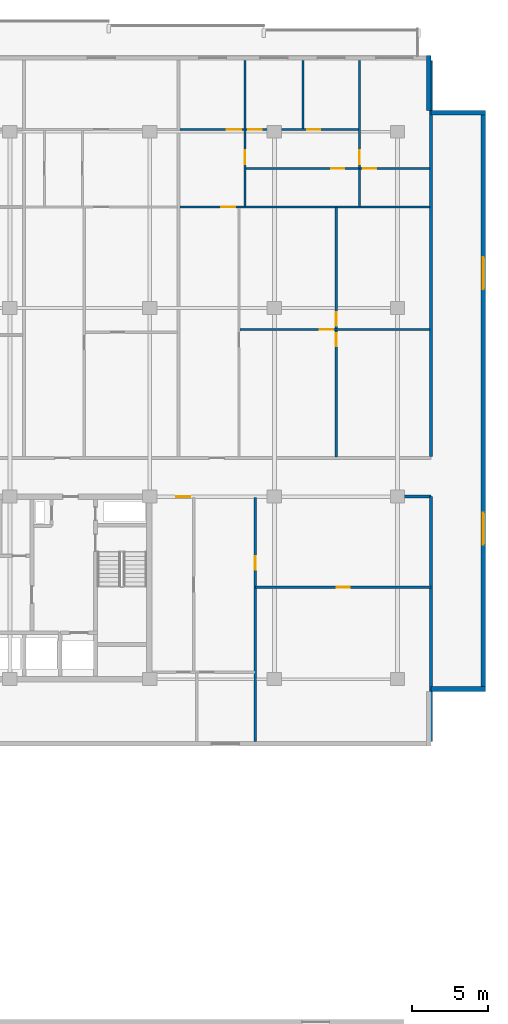
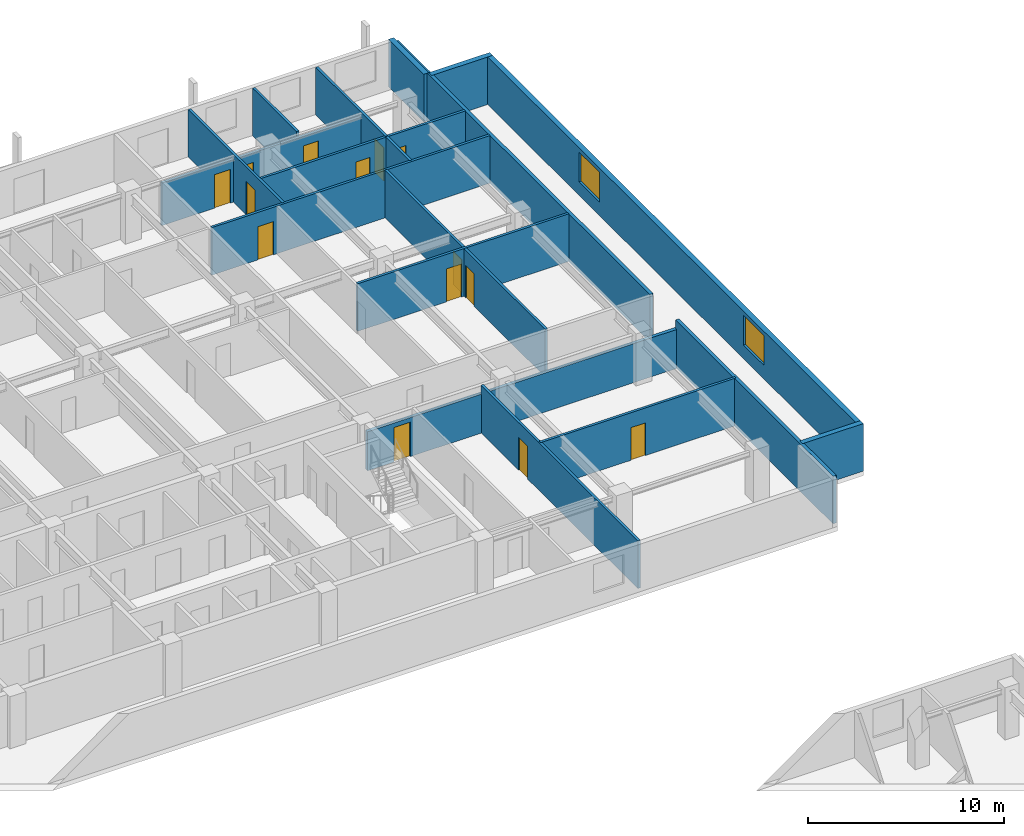
# One storey, part 15 of 21: 18 walls, 14 doors, 2 windows, 16 openings.
"""IFC4 building model written with IfcOpenShell, lengths in metres."""

from ifc_helpers import new_model, si_unit, direction, frame, frame_2d, origin, place, context, subcontext, project, spatial, rectangle, extrude, material, layer, layer_set, type_object, element, fill, save


model = new_model("IFC4")

# Units and contexts
model_context = context("Model", 3, precision=1e-05, world=origin(), true_north=direction((0.0, 1.0)))
body_context = subcontext(model_context, "Body", "Model", "MODEL_VIEW")
ifc_project = project(units=[si_unit("LENGTHUNIT", "METRE"), si_unit("AREAUNIT", "SQUARE_METRE"), si_unit("VOLUMEUNIT", "CUBIC_METRE"), si_unit("PLANEANGLEUNIT", "RADIAN"), si_unit("MASSUNIT", "GRAM", prefix="KILO")], contexts=[model_context])

# Site, building, storey
site_placement = place(None, origin())
site = spatial("IfcSite", under=ifc_project, at=site_placement, CompositionType="ELEMENT")
building_placement = place(site_placement, origin())
building = spatial("IfcBuilding", under=site, at=building_placement, Name="Korimba Cascade Residences", CompositionType="ELEMENT")
storey_placement = place(building_placement, frame((0.0, 0.0, 100.300048828125)))
storey = spatial("IfcBuildingStorey", under=building, at=storey_placement, Name="L28", CompositionType="ELEMENT", Elevation=100.300048828125)

# Wall
ifc_material_1 = material(Name="Precast concrete C40/50", Category="concrete")
ifc_layer_1 = layer(ifc_material_1, 0.300048828125)
ifc_layer_set_1 = layer_set([ifc_layer_1], Name="Precast concrete C40/50")
wall_type_1 = type_object("IfcWallType", Name="EW-STONE-300", PredefinedType="STANDARD", material=ifc_layer_set_1)
wall_1_placement = place(storey_placement, frame((130.60009765625, 54.550048828125, 0.0), z_axis=(0.0, 0.0, 1.0), x_axis=(1.0, 0.0, 0.0)))
element("IfcWall", 1, at=wall_1_placement, inside=storey, type_object=wall_type_1, Name="L28 T1 Perimeter Stone Wall E02", PredefinedType="STANDARD", context=body_context, shape_type="SweptSolid", body=[
    extrude(rectangle(XDim=3.599853515625, YDim=0.300048828125, at=frame_2d((1.7998046875, 0.0))), origin(), (0.0, 0.0, 1.0), 2.969970703125),
])

# Wall, openings, windows
wall_2_placement = place(storey_placement, frame((134.050048828125, 54.39990234375, 0.0), z_axis=(0.0, 0.0, 1.0), x_axis=(0.0, 1.0, 0.0)))
wall_2 = element("IfcWall", 2, at=wall_2_placement, inside=storey, type_object=wall_type_1, Name="L28 T1 Perimeter Stone Wall E03", PredefinedType="STANDARD", context=body_context, shape_type="SweptSolid", body=[
    extrude(rectangle(XDim=38.2001953125, YDim=0.300048828125, at=frame_2d((19.10009765625, 0.0))), origin(), (0.0, 0.0, 1.0), 2.969970703125),
])
opening_1_placement = place(wall_2_placement, frame((9.64599609375, 0.0, 0.85009765625)))
opening_1 = element("IfcOpeningElement", 3, at=opening_1_placement, cuts=wall_2, Name="Opening W-03", PredefinedType="OPENING", context=body_context, shape_type="SweptSolid", body=[
    extrude(rectangle(XDim=2.10009765625, YDim=1.85009765625, at=frame_2d((1.050048828125, 0.925048828125))), frame((0.0, 0.16015625, 0.0), z_axis=(0.0, -1.0, 0.0), x_axis=(1.0, 0.0, 0.0)), (0.0, 0.0, 1.0), 0.320068359375),
])
opening_2_placement = place(wall_2_placement, frame((26.4541015625, 0.0, 0.85009765625)))
opening_2 = element("IfcOpeningElement", 4, at=opening_2_placement, cuts=wall_2, Name="Opening W-03", PredefinedType="OPENING", context=body_context, shape_type="SweptSolid", body=[
    extrude(rectangle(XDim=2.10009765625, YDim=1.85009765625, at=frame_2d((1.050048828125, 0.925048828125))), frame((0.0, 0.16015625, 0.0), z_axis=(0.0, -1.0, 0.0), x_axis=(1.0, 0.0, 0.0)), (0.0, 0.0, 1.0), 0.320068359375),
])
ifc_material_2 = material(Name="Double-Glazed Aluminium Window", Category="aluminium")
window_type = type_object("IfcWindowType", Name="WIN-CRN-2100", PartitioningType="DOUBLE_PANEL_HORIZONTAL", PredefinedType="WINDOW", material=ifc_material_2)
window_1_placement = place(opening_1_placement, origin())
window_1 = element("IfcWindow", 5, at=window_1_placement, inside=storey, type_object=window_type, Name="L28 T1 End View Window 3.1", OverallHeight=1.85009765625, OverallWidth=2.10009765625, PartitioningType="DOUBLE_PANEL_HORIZONTAL", PredefinedType="WINDOW", context=body_context, shape_type="SweptSolid", body=[
    extrude(rectangle(XDim=2.10009765625, YDim=1.85009765625, at=frame_2d((1.050048828125, 0.925048828125))), frame((0.0, 0.030029296875, 0.0), z_axis=(0.0, -1.0, 0.0), x_axis=(1.0, 0.0, 0.0)), (0.0, 0.0, 1.0), 0.06005859375),
])
fill(opening_1, window_1)
window_2_placement = place(opening_2_placement, origin())
window_2 = element("IfcWindow", 6, at=window_2_placement, inside=storey, type_object=window_type, Name="L28 T1 End View Window 3.2", OverallHeight=1.85009765625, OverallWidth=2.10009765625, PartitioningType="DOUBLE_PANEL_HORIZONTAL", PredefinedType="WINDOW", context=body_context, shape_type="SweptSolid", body=[
    extrude(rectangle(XDim=2.10009765625, YDim=1.85009765625, at=frame_2d((1.050048828125, 0.925048828125))), frame((0.0, 0.030029296875, 0.0), z_axis=(0.0, -1.0, 0.0), x_axis=(1.0, 0.0, 0.0)), (0.0, 0.0, 1.0), 0.06005859375),
])
fill(opening_2, window_2)

# Walls
for number, where, z_axis, x_axis, name in (
    (7, (134.199951171875, 92.449951171875, 0.0), (0.0, 0.0, 1.0), (-1.0, 0.0, 0.0), "L28 T1 Perimeter Stone Wall E04"),
    (8, (130.449951171875, 92.60009765625, 0.0), (0.0, 0.0, 1.0), (0.0, 1.0, 0.0), "L28 T1 Perimeter Stone Wall E05"),
):
    element("IfcWall", number, at=place(storey_placement, frame(where, z_axis=z_axis, x_axis=x_axis)), inside=storey, type_object=wall_type_1, Name=name, PredefinedType="STANDARD", context=body_context, shape_type="SweptSolid", body=[
        extrude(rectangle(XDim=3.599853515625, YDim=0.300048828125, at=frame_2d((1.7998046875, 0.0))), origin(), (0.0, 0.0, 1.0), 2.969970703125),
    ])
ifc_layer_2 = layer(ifc_material_1, 0.199951171875)
ifc_layer_set_2 = layer_set([ifc_layer_2], Name="Precast concrete C40/50")
wall_type_2 = type_object("IfcWallType", Name="WAL-IT-200", PredefinedType="PARTITIONING", material=ifc_layer_set_2)
wall_3_placement = place(storey_placement, frame((130.60009765625, 51.10009765625, 0.0), z_axis=(0.0, 0.0, 1.0), x_axis=(0.0, 1.0, 0.0)))
element("IfcWall", 9, at=wall_3_placement, inside=storey, type_object=wall_type_2, Name="L28 Partition Wall WAL-L28-T1-FE-WR", PredefinedType="PARTITIONING", context=body_context, shape_type="SweptSolid", body=[
    extrude(rectangle(XDim=16.099853515625, YDim=0.199951171875, at=frame_2d((8.0498046875, 0.0))), origin(), (0.0, 0.0, 1.0), 2.969970703125),
])

# Wall, opening, door
wall_4_placement = place(storey_placement, frame((112.25, 67.199951171875, 0.0), z_axis=(0.0, 0.0, 1.0), x_axis=(1.0, 0.0, 0.0)))
wall_4 = element("IfcWall", 10, at=wall_4_placement, inside=storey, type_object=wall_type_2, Name="L28 Partition Wall WAL-L28-T1-FE-N", PredefinedType="PARTITIONING", context=body_context, shape_type="SweptSolid", body=[
    extrude(rectangle(XDim=18.35009765625, YDim=0.199951171875, at=frame_2d((9.175048828125, 0.0))), origin(), (0.0, 0.0, 1.0), 2.433349609375),
])
opening_3_placement = place(wall_4_placement, frame((1.580078125, 0.0, 0.0)))
opening_3 = element("IfcOpeningElement", 11, at=opening_3_placement, cuts=wall_4, Name="Opening D-UN1", PredefinedType="OPENING", context=body_context, shape_type="SweptSolid", body=[
    extrude(rectangle(XDim=0.949951171875, YDim=2.14990234375, at=frame_2d((0.47509765625, 1.074951171875))), frame((0.0, 0.10986328125, 0.0), z_axis=(0.0, -1.0, 0.0), x_axis=(1.0, 0.0, 0.0)), (0.0, 0.0, 1.0), 0.219970703125),
])
ifc_material_3 = material(Name="Fire-Rated Hardwood Apartment Entrance Door", Category="wood")
door_type_1 = type_object("IfcDoorType", Name="DR-FD60-950", OperationType="NOTDEFINED", PredefinedType="DOOR", material=ifc_material_3)
door_1_placement = place(opening_3_placement, origin())
door_1 = element("IfcDoor", 12, at=door_1_placement, inside=storey, type_object=door_type_1, Name="L28-T1-FE Entrance Door", OperationType="SINGLE_SWING_LEFT", OverallHeight=2.14990234375, OverallWidth=0.949951171875, PredefinedType="DOOR", context=body_context, shape_type="SweptSolid", body=[
    extrude(rectangle(XDim=0.949951171875, YDim=2.14990234375, at=frame_2d((0.47509765625, 1.074951171875))), frame((0.0, 0.02490234375, 0.0), z_axis=(0.0, -1.0, 0.0), x_axis=(1.0, 0.0, 0.0)), (0.0, 0.0, 1.0), 0.050048828125),
])
fill(opening_3, door_1)

# Wall
wall_5_placement = place(storey_placement, frame((130.60009765625, 69.830078125, 0.0), z_axis=(0.0, 0.0, 1.0), x_axis=(0.0, 1.0, 0.0)))
element("IfcWall", 13, at=wall_5_placement, inside=storey, type_object=wall_type_2, Name="L28 Partition Wall WAL-L28-T1-BNDWR", PredefinedType="PARTITIONING", context=body_context, shape_type="SweptSolid", body=[
    extrude(rectangle(XDim=26.06982421875, YDim=0.199951171875, at=frame_2d((13.034912109375, 0.0))), origin(), (0.0, 0.0, 1.0), 2.969970703125),
])

# Wall, opening, door
ifc_material_4 = material(Name="Insulated Acoustic Stud Partition", Category="gypsum")
ifc_layer_3 = layer(ifc_material_4, 0.14990234375)
ifc_layer_set_3 = layer_set([ifc_layer_3], Name="Insulated Acoustic Stud Partition")
wall_type_3 = type_object("IfcWallType", Name="WAL-PART-150", PredefinedType="PARTITIONING", material=ifc_layer_set_3)
wall_6_placement = place(storey_placement, frame((119.050048828125, 61.25, 0.0), z_axis=(0.0, 0.0, 1.0), x_axis=(1.0, 0.0, 0.0)))
wall_6 = element("IfcWall", 14, at=wall_6_placement, inside=storey, type_object=wall_type_3, Name="L28 Partition Wall WAL-L28-T1-FE-STH", PredefinedType="PARTITIONING", context=body_context, shape_type="SweptSolid", body=[
    extrude(rectangle(XDim=11.550048828125, YDim=0.14990234375, at=frame_2d((5.77490234375, 0.0))), origin(), (0.0, 0.0, 1.0), 2.969970703125),
])
opening_4_placement = place(wall_6_placement, frame((5.35498046875, 0.0, 0.0)))
opening_4 = element("IfcOpeningElement", 15, at=opening_4_placement, cuts=wall_6, Name="Opening D-BT1", PredefinedType="OPENING", context=body_context, shape_type="SweptSolid", body=[
    extrude(rectangle(XDim=0.840087890625, YDim=2.0400390625, at=frame_2d((0.419921875, 1.02001953125))), frame((0.0, 0.0849609375, 0.0), z_axis=(0.0, -1.0, 0.0), x_axis=(1.0, 0.0, 0.0)), (0.0, 0.0, 1.0), 0.169921875),
])
ifc_material_5 = material(Name="Moisture-Resistant Bathroom Timber Door", Category="wood")
door_type_2 = type_object("IfcDoorType", Name="DR-INT-850", OperationType="NOTDEFINED", PredefinedType="DOOR", material=ifc_material_5)
door_2_placement = place(opening_4_placement, origin())
door_2 = element("IfcDoor", 16, at=door_2_placement, inside=storey, type_object=door_type_2, Name="L28-T1-FE Dressing Store Door", OperationType="SINGLE_SWING_RIGHT", OverallHeight=2.0400390625, OverallWidth=0.840087890625, PredefinedType="DOOR", context=body_context, shape_type="SweptSolid", body=[
    extrude(rectangle(XDim=0.840087890625, YDim=2.0400390625, at=frame_2d((0.419921875, 1.02001953125))), frame((0.0, 0.02490234375, 0.0), z_axis=(0.0, -1.0, 0.0), x_axis=(1.0, 0.0, 0.0)), (0.0, 0.0, 1.0), 0.050048828125),
])
fill(opening_4, door_2)

wall_7_placement = place(storey_placement, frame((119.050048828125, 51.10009765625, 0.0), z_axis=(0.0, 0.0, 1.0), x_axis=(0.0, 1.0, 0.0)))
wall_7 = element("IfcWall", 17, at=wall_7_placement, inside=storey, type_object=wall_type_3, Name="L28 Partition Wall WAL-L28-T1-FE-STV", PredefinedType="PARTITIONING", context=body_context, shape_type="SweptSolid", body=[
    extrude(rectangle(XDim=16.0498046875, YDim=0.14990234375, at=frame_2d((8.02490234375, 0.0))), origin(), (0.0, 0.0, 1.0), 2.969970703125),
])
opening_5_placement = place(wall_7_placement, frame((11.300048828125, 0.0, 0.0)))
opening_5 = element("IfcOpeningElement", 18, at=opening_5_placement, cuts=wall_7, Name="Opening D-IN2", PredefinedType="OPENING", context=body_context, shape_type="SweptSolid", body=[
    extrude(rectangle(XDim=0.8798828125, YDim=2.06005859375, at=frame_2d((0.43994140625, 1.030029296875))), frame((0.0, 0.0849609375, 0.0), z_axis=(0.0, -1.0, 0.0), x_axis=(1.0, 0.0, 0.0)), (0.0, 0.0, 1.0), 0.169921875),
])
ifc_material_6 = material(Name="Acoustic Timber Bedroom Door", Category="wood")
door_type_3 = type_object("IfcDoorType", Name="DR-INT-880", OperationType="NOTDEFINED", PredefinedType="DOOR", material=ifc_material_6)
door_3_placement = place(opening_5_placement, origin())
door_3 = element("IfcDoor", 19, at=door_3_placement, inside=storey, type_object=door_type_3, Name="L28-T1-FE Study Door", OperationType="SINGLE_SWING_LEFT", OverallHeight=2.06005859375, OverallWidth=0.8798828125, PredefinedType="DOOR", context=body_context, shape_type="SweptSolid", body=[
    extrude(rectangle(XDim=0.8798828125, YDim=2.06005859375, at=frame_2d((0.43994140625, 1.030029296875))), frame((0.0, 0.02490234375, 0.0), z_axis=(0.0, -1.0, 0.0), x_axis=(1.0, 0.0, 0.0)), (0.0, 0.0, 1.0), 0.050048828125),
])
fill(opening_5, door_3)

# Wall, openings, doors
wall_8_placement = place(storey_placement, frame((124.376953125, 69.81005859375, 0.0), z_axis=(0.0, 0.0, 1.0), x_axis=(0.0, 1.0, 0.0)))
wall_8 = element("IfcWall", 20, at=wall_8_placement, inside=storey, type_object=wall_type_3, Name="L28 Partition Wall WAL-L28-T1-U05-FMV", PredefinedType="PARTITIONING", context=body_context, shape_type="SweptSolid", body=[
    extrude(rectangle(XDim=16.39990234375, YDim=0.14990234375, at=frame_2d((8.199951171875, 0.0))), origin(), (0.0, 0.0, 1.0), 2.969970703125),
])
opening_6_placement = place(wall_8_placement, frame((7.2900390625, 0.0, 0.0)))
opening_6 = element("IfcOpeningElement", 21, at=opening_6_placement, cuts=wall_8, Name="Opening D-BT1", PredefinedType="OPENING", context=body_context, shape_type="SweptSolid", body=[
    extrude(rectangle(XDim=0.840087890625, YDim=2.0400390625, at=frame_2d((0.419921875, 1.02001953125))), frame((0.0, 0.0849609375, 0.0), z_axis=(0.0, -1.0, 0.0), x_axis=(1.0, 0.0, 0.0)), (0.0, 0.0, 1.0), 0.169921875),
])
opening_7_placement = place(wall_8_placement, frame((8.6298828125, 0.0, 0.0)))
opening_7 = element("IfcOpeningElement", 22, at=opening_7_placement, cuts=wall_8, Name="Opening D-IN2", PredefinedType="OPENING", context=body_context, shape_type="SweptSolid", body=[
    extrude(rectangle(XDim=0.8798828125, YDim=2.06005859375, at=frame_2d((0.43994140625, 1.030029296875))), frame((0.0, 0.0849609375, 0.0), z_axis=(0.0, -1.0, 0.0), x_axis=(1.0, 0.0, 0.0)), (0.0, 0.0, 1.0), 0.169921875),
])
door_4_placement = place(opening_6_placement, origin())
door_4 = element("IfcDoor", 23, at=door_4_placement, inside=storey, type_object=door_type_2, Name="L28-T1-U05 Wardrobe Door", OperationType="SINGLE_SWING_LEFT", OverallHeight=2.0400390625, OverallWidth=0.840087890625, PredefinedType="DOOR", context=body_context, shape_type="SweptSolid", body=[
    extrude(rectangle(XDim=0.840087890625, YDim=2.0400390625, at=frame_2d((0.419921875, 1.02001953125))), frame((0.0, 0.02490234375, 0.0), z_axis=(0.0, -1.0, 0.0), x_axis=(1.0, 0.0, 0.0)), (0.0, 0.0, 1.0), 0.050048828125),
])
fill(opening_6, door_4)
door_5_placement = place(opening_7_placement, origin())
door_5 = element("IfcDoor", 24, at=door_5_placement, inside=storey, type_object=door_type_3, Name="L28-T1-U05 Music Lounge Door", OperationType="SINGLE_SWING_RIGHT", OverallHeight=2.06005859375, OverallWidth=0.8798828125, PredefinedType="DOOR", context=body_context, shape_type="SweptSolid", body=[
    extrude(rectangle(XDim=0.8798828125, YDim=2.06005859375, at=frame_2d((0.43994140625, 1.030029296875))), frame((0.0, 0.02490234375, 0.0), z_axis=(0.0, -1.0, 0.0), x_axis=(1.0, 0.0, 0.0)), (0.0, 0.0, 1.0), 0.050048828125),
])
fill(opening_7, door_5)

# Wall, opening, door
wall_9_placement = place(storey_placement, frame((118.033935546875, 78.18994140625, 0.0), z_axis=(0.0, 0.0, 1.0), x_axis=(1.0, 0.0, 0.0)))
wall_9 = element("IfcWall", 25, at=wall_9_placement, inside=storey, type_object=wall_type_3, Name="L28 Partition Wall WAL-L28-T1-U05-FMH", PredefinedType="PARTITIONING", context=body_context, shape_type="SweptSolid", body=[
    extrude(rectangle(XDim=12.486083984375, YDim=0.14990234375, at=frame_2d((6.2431640625, 0.0))), origin(), (0.0, 0.0, 1.0), 2.969970703125),
])
opening_8_placement = place(wall_9_placement, frame((5.242919921875, 0.0, 0.0)))
opening_8 = element("IfcOpeningElement", 26, at=opening_8_placement, cuts=wall_9, Name="Opening D-IN2", PredefinedType="OPENING", context=body_context, shape_type="SweptSolid", body=[
    extrude(rectangle(XDim=0.8798828125, YDim=2.06005859375, at=frame_2d((0.43994140625, 1.030029296875))), frame((0.0, 0.0849609375, 0.0), z_axis=(0.0, -1.0, 0.0), x_axis=(1.0, 0.0, 0.0)), (0.0, 0.0, 1.0), 0.169921875),
])
door_6_placement = place(opening_8_placement, origin())
door_6 = element("IfcDoor", 27, at=door_6_placement, inside=storey, type_object=door_type_3, Name="L28-T1-U05 Library Salon Door", OperationType="SINGLE_SWING_LEFT", OverallHeight=2.06005859375, OverallWidth=0.8798828125, PredefinedType="DOOR", context=body_context, shape_type="SweptSolid", body=[
    extrude(rectangle(XDim=0.8798828125, YDim=2.06005859375, at=frame_2d((0.43994140625, 1.030029296875))), frame((0.0, 0.02490234375, 0.0), z_axis=(0.0, -1.0, 0.0), x_axis=(1.0, 0.0, 0.0)), (0.0, 0.0, 1.0), 0.050048828125),
])
fill(opening_8, door_6)

# Wall
wall_10_placement = place(storey_placement, frame((122.179931640625, 91.429931640625, 0.0), z_axis=(0.0, 0.0, 1.0), x_axis=(0.0, 1.0, 0.0)))
element("IfcWall", 28, at=wall_10_placement, inside=storey, type_object=wall_type_3, Name="L28 Partition Wall WAL-L28-T1-U05-VSTD", PredefinedType="PARTITIONING", context=body_context, shape_type="SweptSolid", body=[
    extrude(rectangle(XDim=4.469970703125, YDim=0.14990234375, at=frame_2d((2.23486328125, 0.0))), origin(), (0.0, 0.0, 1.0), 2.969970703125),
])

# Wall, opening, door
wall_11_placement = place(storey_placement, frame((118.373779296875, 86.2900390625, 0.0), z_axis=(0.0, 0.0, 1.0), x_axis=(0.0, 1.0, 0.0)))
wall_11 = element("IfcWall", 29, at=wall_11_placement, inside=storey, type_object=wall_type_3, Name="L28 Partition Wall WAL-L28-T1-U05-V1", PredefinedType="PARTITIONING", context=body_context, shape_type="SweptSolid", body=[
    extrude(rectangle(XDim=9.60986328125, YDim=0.14990234375, at=frame_2d((4.804931640625, 0.0))), origin(), (0.0, 0.0, 1.0), 2.969970703125),
])
opening_9_placement = place(wall_11_placement, frame((2.77001953125, 0.0, 0.0)))
opening_9 = element("IfcOpeningElement", 30, at=opening_9_placement, cuts=wall_11, Name="Opening D-IN1", PredefinedType="OPENING", context=body_context, shape_type="SweptSolid", body=[
    extrude(rectangle(XDim=0.919921875, YDim=2.080078125, at=frame_2d((0.4599609375, 1.0400390625))), frame((0.0, 0.0849609375, 0.0), z_axis=(0.0, -1.0, 0.0), x_axis=(1.0, 0.0, 0.0)), (0.0, 0.0, 1.0), 0.169921875),
])
ifc_material_7 = material(Name="Acoustic Timber Living Door", Category="wood")
door_type_4 = type_object("IfcDoorType", Name="DR-INT-920", OperationType="NOTDEFINED", PredefinedType="DOOR", material=ifc_material_7)
door_7_placement = place(opening_9_placement, origin())
door_7 = element("IfcDoor", 31, at=door_7_placement, inside=storey, type_object=door_type_4, Name="L28-T1-U05 Hallway Door", OperationType="SINGLE_SWING_LEFT", OverallHeight=2.080078125, OverallWidth=0.919921875, PredefinedType="DOOR", context=body_context, shape_type="SweptSolid", body=[
    extrude(rectangle(XDim=0.919921875, YDim=2.080078125, at=frame_2d((0.4599609375, 1.0400390625))), frame((0.0, 0.02490234375, 0.0), z_axis=(0.0, -1.0, 0.0), x_axis=(1.0, 0.0, 0.0)), (0.0, 0.0, 1.0), 0.050048828125),
])
fill(opening_9, door_7)

# Wall
wall_12_placement = place(storey_placement, frame((125.900390625, 86.2900390625, 0.0), z_axis=(0.0, 0.0, 1.0), x_axis=(0.0, 1.0, 0.0)))
element("IfcWall", 32, at=wall_12_placement, inside=storey, type_object=wall_type_3, Name="L28 Partition Wall WAL-L28-T1-U05-VBATH", PredefinedType="PARTITIONING", context=body_context, shape_type="SweptSolid", body=[
    extrude(rectangle(XDim=2.469970703125, YDim=0.14990234375, at=frame_2d((1.23486328125, 0.0))), origin(), (0.0, 0.0, 1.0), 2.969970703125),
])

# Wall, opening, door
wall_13_placement = place(storey_placement, frame((125.900390625, 88.800048828125, 0.0), z_axis=(0.0, 0.0, 1.0), x_axis=(0.0, 1.0, 0.0)))
wall_13 = element("IfcWall", 33, at=wall_13_placement, inside=storey, type_object=wall_type_3, Name="L28 Partition Wall WAL-L28-T1-U05-V2FULL", PredefinedType="PARTITIONING", context=body_context, shape_type="SweptSolid", body=[
    extrude(rectangle(XDim=7.099853515625, YDim=0.14990234375, at=frame_2d((3.5498046875, 0.0))), origin(), (0.0, 0.0, 1.0), 2.969970703125),
])
opening_10_placement = place(wall_13_placement, frame((0.260009765625, 0.0, 0.0)))
opening_10 = element("IfcOpeningElement", 34, at=opening_10_placement, cuts=wall_13, Name="Opening D-IN1", PredefinedType="OPENING", context=body_context, shape_type="SweptSolid", body=[
    extrude(rectangle(XDim=0.919921875, YDim=2.080078125, at=frame_2d((0.4599609375, 1.0400390625))), frame((0.0, 0.0849609375, 0.0), z_axis=(0.0, -1.0, 0.0), x_axis=(1.0, 0.0, 0.0)), (0.0, 0.0, 1.0), 0.169921875),
])
door_8_placement = place(opening_10_placement, origin())
door_8 = element("IfcDoor", 35, at=door_8_placement, inside=storey, type_object=door_type_4, Name="L28-T1-U05 Master Bedroom Door", OperationType="SINGLE_SWING_RIGHT", OverallHeight=2.080078125, OverallWidth=0.919921875, PredefinedType="DOOR", context=body_context, shape_type="SweptSolid", body=[
    extrude(rectangle(XDim=0.919921875, YDim=2.080078125, at=frame_2d((0.4599609375, 1.0400390625))), frame((0.0, 0.02490234375, 0.0), z_axis=(0.0, -1.0, 0.0), x_axis=(1.0, 0.0, 0.0)), (0.0, 0.0, 1.0), 0.050048828125),
])
fill(opening_10, door_8)

# Wall, openings, doors
wall_14_placement = place(storey_placement, frame((118.413818359375, 88.780029296875, 0.0), z_axis=(0.0, 0.0, 1.0), x_axis=(1.0, 0.0, 0.0)))
wall_14 = element("IfcWall", 36, at=wall_14_placement, inside=storey, type_object=wall_type_3, Name="L28 Partition Wall WAL-L28-T1-U05-HWALL", PredefinedType="PARTITIONING", context=body_context, shape_type="SweptSolid", body=[
    extrude(rectangle(XDim=12.106201171875, YDim=0.14990234375, at=frame_2d((6.05322265625, 0.0))), origin(), (0.0, 0.0, 1.0), 2.969970703125),
])
opening_11_placement = place(wall_14_placement, frame((5.633056640625, 0.0, 0.0)))
opening_11 = element("IfcOpeningElement", 37, at=opening_11_placement, cuts=wall_14, Name="Opening D-BT1", PredefinedType="OPENING", context=body_context, shape_type="SweptSolid", body=[
    extrude(rectangle(XDim=0.840087890625, YDim=2.0400390625, at=frame_2d((0.419921875, 1.02001953125))), frame((0.0, 0.0849609375, 0.0), z_axis=(0.0, -1.0, 0.0), x_axis=(1.0, 0.0, 0.0)), (0.0, 0.0, 1.0), 0.169921875),
])
opening_12_placement = place(wall_14_placement, frame((7.736328125, 0.0, 0.0)))
opening_12 = element("IfcOpeningElement", 38, at=opening_12_placement, cuts=wall_14, Name="Opening D-BT1", PredefinedType="OPENING", context=body_context, shape_type="SweptSolid", body=[
    extrude(rectangle(XDim=0.840087890625, YDim=2.0400390625, at=frame_2d((0.419921875, 1.02001953125))), frame((0.0, 0.0849609375, 0.0), z_axis=(0.0, -1.0, 0.0), x_axis=(1.0, 0.0, 0.0)), (0.0, 0.0, 1.0), 0.169921875),
])
door_9_placement = place(opening_11_placement, origin())
door_9 = element("IfcDoor", 39, at=door_9_placement, inside=storey, type_object=door_type_2, Name="L28-T1-U05 Family Bathroom Door", OperationType="SINGLE_SWING_LEFT", OverallHeight=2.0400390625, OverallWidth=0.840087890625, PredefinedType="DOOR", context=body_context, shape_type="SweptSolid", body=[
    extrude(rectangle(XDim=0.840087890625, YDim=2.0400390625, at=frame_2d((0.419921875, 1.02001953125))), frame((0.0, 0.02490234375, 0.0), z_axis=(0.0, -1.0, 0.0), x_axis=(1.0, 0.0, 0.0)), (0.0, 0.0, 1.0), 0.050048828125),
])
fill(opening_11, door_9)
door_10_placement = place(opening_12_placement, origin())
door_10 = element("IfcDoor", 40, at=door_10_placement, inside=storey, type_object=door_type_2, Name="L28-T1-U05 En-Suite Door", OperationType="SINGLE_SWING_RIGHT", OverallHeight=2.0400390625, OverallWidth=0.840087890625, PredefinedType="DOOR", context=body_context, shape_type="SweptSolid", body=[
    extrude(rectangle(XDim=0.840087890625, YDim=2.0400390625, at=frame_2d((0.419921875, 1.02001953125))), frame((0.0, 0.02490234375, 0.0), z_axis=(0.0, -1.0, 0.0), x_axis=(1.0, 0.0, 0.0)), (0.0, 0.0, 1.0), 0.050048828125),
])
fill(opening_12, door_10)

# Wall, opening, door
wall_15_placement = place(storey_placement, frame((114.083984375, 86.25, 0.0), z_axis=(0.0, 0.0, 1.0), x_axis=(1.0, 0.0, 0.0)))
wall_15 = element("IfcWall", 41, at=wall_15_placement, inside=storey, type_object=wall_type_3, Name="L28 Partition Wall WAL-L28-T1-U05-MW", PredefinedType="PARTITIONING", context=body_context, shape_type="SweptSolid", body=[
    extrude(rectangle(XDim=16.43603515625, YDim=0.14990234375, at=frame_2d((8.218017578125, 0.0))), origin(), (0.0, 0.0, 1.0), 2.969970703125),
])
opening_13_placement = place(wall_15_placement, frame((2.719970703125, 0.0, 0.0)))
opening_13 = element("IfcOpeningElement", 42, at=opening_13_placement, cuts=wall_15, Name="Opening D-IN1", PredefinedType="OPENING", context=body_context, shape_type="SweptSolid", body=[
    extrude(rectangle(XDim=0.919921875, YDim=2.080078125, at=frame_2d((0.4599609375, 1.0400390625))), frame((0.0, 0.0849609375, 0.0), z_axis=(0.0, -1.0, 0.0), x_axis=(1.0, 0.0, 0.0)), (0.0, 0.0, 1.0), 0.169921875),
])
door_11_placement = place(opening_13_placement, origin())
door_11 = element("IfcDoor", 43, at=door_11_placement, inside=storey, type_object=door_type_4, Name="L28-T1-U05 Kitchen Door", OperationType="SINGLE_SWING_LEFT", OverallHeight=2.080078125, OverallWidth=0.919921875, PredefinedType="DOOR", context=body_context, shape_type="SweptSolid", body=[
    extrude(rectangle(XDim=0.919921875, YDim=2.080078125, at=frame_2d((0.4599609375, 1.0400390625))), frame((0.0, 0.02490234375, 0.0), z_axis=(0.0, -1.0, 0.0), x_axis=(1.0, 0.0, 0.0)), (0.0, 0.0, 1.0), 0.050048828125),
])
fill(opening_13, door_11)

# Wall, openings, doors
wall_16_placement = place(storey_placement, frame((114.083984375, 91.35009765625, 0.0), z_axis=(0.0, 0.0, 1.0), x_axis=(1.0, 0.0, 0.0)))
wall_16 = element("IfcWall", 44, at=wall_16_placement, inside=storey, type_object=wall_type_3, Name="L28 Partition Wall WAL-L28-T1-U05-HZ", PredefinedType="PARTITIONING", context=body_context, shape_type="SweptSolid", body=[
    extrude(rectangle(XDim=11.81640625, YDim=0.14990234375, at=frame_2d((5.908203125, 0.0))), origin(), (0.0, 0.0, 1.0), 2.663330078125),
])
opening_14_placement = place(wall_16_placement, frame((3.10009765625, 0.0, 0.0)))
opening_14 = element("IfcOpeningElement", 45, at=opening_14_placement, cuts=wall_16, Name="Opening D-IN0", PredefinedType="OPENING", context=body_context, shape_type="SweptSolid", body=[
    extrude(rectangle(XDim=0.93994140625, YDim=2.10009765625, at=frame_2d((0.469970703125, 1.050048828125))), frame((0.0, 0.0849609375, 0.0), z_axis=(0.0, -1.0, 0.0), x_axis=(1.0, 0.0, 0.0)), (0.0, 0.0, 1.0), 0.169921875),
])
opening_15_placement = place(wall_16_placement, frame((4.510009765625, 0.0, 0.0)))
opening_15 = element("IfcOpeningElement", 46, at=opening_15_placement, cuts=wall_16, Name="Opening D-IN2", PredefinedType="OPENING", context=body_context, shape_type="SweptSolid", body=[
    extrude(rectangle(XDim=0.8798828125, YDim=2.06005859375, at=frame_2d((0.43994140625, 1.030029296875))), frame((0.0, 0.0849609375, 0.0), z_axis=(0.0, -1.0, 0.0), x_axis=(1.0, 0.0, 0.0)), (0.0, 0.0, 1.0), 0.169921875),
])
opening_16_placement = place(wall_16_placement, frame((8.364013671875, 0.0, 0.0)))
opening_16 = element("IfcOpeningElement", 47, at=opening_16_placement, cuts=wall_16, Name="Opening D-IN2", PredefinedType="OPENING", context=body_context, shape_type="SweptSolid", body=[
    extrude(rectangle(XDim=0.8798828125, YDim=2.06005859375, at=frame_2d((0.43994140625, 1.030029296875))), frame((0.0, 0.0849609375, 0.0), z_axis=(0.0, -1.0, 0.0), x_axis=(1.0, 0.0, 0.0)), (0.0, 0.0, 1.0), 0.169921875),
])
door_12_placement = place(opening_15_placement, origin())
door_12 = element("IfcDoor", 48, at=door_12_placement, inside=storey, type_object=door_type_3, Name="L28-T1-U05 Bedroom 2 Door", OperationType="SINGLE_SWING_LEFT", OverallHeight=2.06005859375, OverallWidth=0.8798828125, PredefinedType="DOOR", context=body_context, shape_type="SweptSolid", body=[
    extrude(rectangle(XDim=0.8798828125, YDim=2.06005859375, at=frame_2d((0.43994140625, 1.030029296875))), frame((0.0, 0.02490234375, 0.0), z_axis=(0.0, -1.0, 0.0), x_axis=(1.0, 0.0, 0.0)), (0.0, 0.0, 1.0), 0.050048828125),
])
fill(opening_15, door_12)
door_13_placement = place(opening_16_placement, origin())
door_13 = element("IfcDoor", 49, at=door_13_placement, inside=storey, type_object=door_type_3, Name="L28-T1-U05 Study Door", OperationType="SINGLE_SWING_RIGHT", OverallHeight=2.06005859375, OverallWidth=0.8798828125, PredefinedType="DOOR", context=body_context, shape_type="SweptSolid", body=[
    extrude(rectangle(XDim=0.8798828125, YDim=2.06005859375, at=frame_2d((0.43994140625, 1.030029296875))), frame((0.0, 0.02490234375, 0.0), z_axis=(0.0, -1.0, 0.0), x_axis=(1.0, 0.0, 0.0)), (0.0, 0.0, 1.0), 0.050048828125),
])
fill(opening_16, door_13)
ifc_material_8 = material(Name="Acoustic Timber Living Archway Door", Category="wood")
door_type_5 = type_object("IfcDoorType", Name="DR-INT-950", OperationType="NOTDEFINED", PredefinedType="DOOR", material=ifc_material_8)
door_14_placement = place(opening_14_placement, origin())
door_14 = element("IfcDoor", 50, at=door_14_placement, inside=storey, type_object=door_type_5, Name="L28-T1-U05 Living Room Door", OperationType="SINGLE_SWING_RIGHT", OverallHeight=2.10009765625, OverallWidth=0.93994140625, PredefinedType="DOOR", context=body_context, shape_type="SweptSolid", body=[
    extrude(rectangle(XDim=0.93994140625, YDim=2.10009765625, at=frame_2d((0.469970703125, 1.050048828125))), frame((0.0, 0.02490234375, 0.0), z_axis=(0.0, -1.0, 0.0), x_axis=(1.0, 0.0, 0.0)), (0.0, 0.0, 1.0), 0.050048828125),
])
fill(opening_14, door_14)

save(model, "model.ifc")
